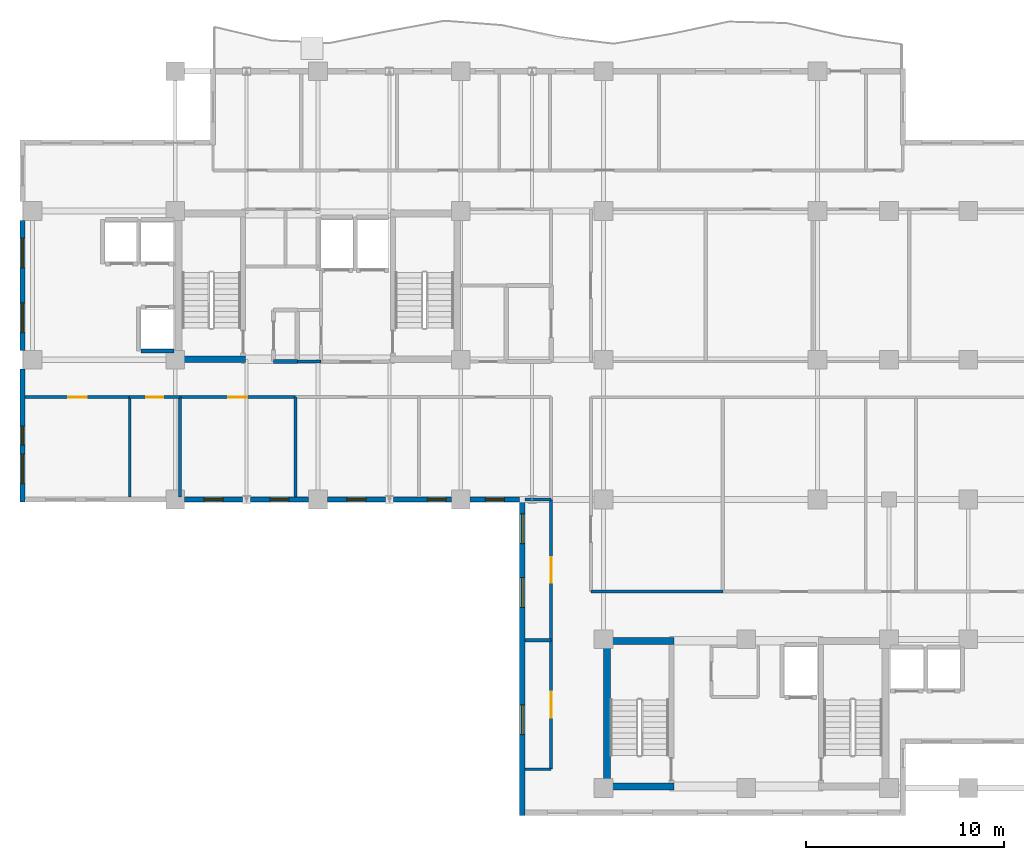
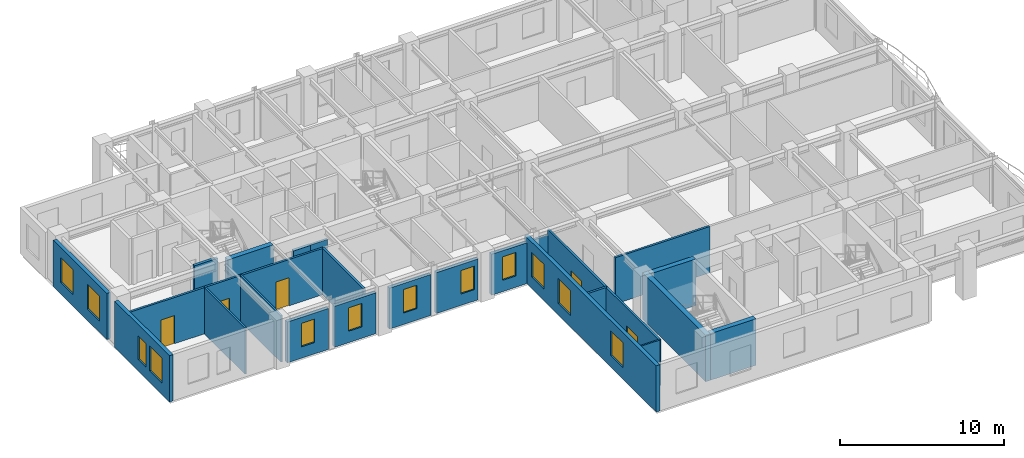
# One storey, part 5 of 13: 27 walls, 12 windows, 5 doors, 17 openings.
"""IFC4 building model written with IfcOpenShell, lengths in metres."""

from ifc_helpers import new_model, si_unit, direction, frame, frame_2d, origin, place, context, subcontext, project, spatial, rectangle, extrude, material, layer, layer_set, type_object, element, fill, save


model = new_model("IFC4")

# Units and contexts
model_context = context("Model", 3, precision=1e-05, world=origin(), true_north=direction((0.0, 1.0)))
body_context = subcontext(model_context, "Body", "Model", "MODEL_VIEW")
ifc_project = project(units=[si_unit("LENGTHUNIT", "METRE"), si_unit("AREAUNIT", "SQUARE_METRE"), si_unit("VOLUMEUNIT", "CUBIC_METRE"), si_unit("PLANEANGLEUNIT", "RADIAN"), si_unit("MASSUNIT", "GRAM", prefix="KILO")], contexts=[model_context])

# Site, building, storey
site_placement = place(None, origin())
site = spatial("IfcSite", under=ifc_project, at=site_placement, CompositionType="ELEMENT")
building_placement = place(site_placement, origin())
building = spatial("IfcBuilding", under=site, at=building_placement, Name="Kaliganga Portal Commons", CompositionType="ELEMENT")
storey_placement = place(building_placement, frame((0.0, 0.0, 224.0)))
storey = spatial("IfcBuildingStorey", under=building, at=storey_placement, Name="L57", CompositionType="ELEMENT", Elevation=224.0)

# Walls
ifc_material_1 = material(Name="Concrete C50/60", Category="concrete")
ifc_layer_1 = layer(ifc_material_1, 0.35009765625)
ifc_layer_set_1 = layer_set([ifc_layer_1], Name="Concrete C50/60")
wall_type_1 = type_object("IfcWallType", Name="WL-CORE-350", PredefinedType="SHEAR", material=ifc_layer_set_1)
wall_1_placement = place(storey_placement, frame((14.75, 28.675048828125, 0.0), z_axis=(0.0, 0.0, 1.0), x_axis=(1.0, 0.0, 0.0)))
element("IfcWall", 1, at=wall_1_placement, inside=storey, type_object=wall_type_1, Name="Core A S-West Shear Wall L57", PredefinedType="SHEAR", context=body_context, shape_type="SweptSolid", body=[
    extrude(rectangle(XDim=3.199951171875, YDim=0.35009765625, at=frame_2d((1.60009765625, 0.0))), origin(), (0.0, 0.0, 1.0), 3.469970703125),
])
wall_2_placement = place(storey_placement, frame((36.175048828125, 6.949951171875, 0.0), z_axis=(0.0, 0.0, 1.0), x_axis=(0.0, 1.0, 0.0)))
element("IfcWall", 2, at=wall_2_placement, inside=storey, type_object=wall_type_1, Name="Core B West Shear Wall L57", PredefinedType="SHEAR", context=body_context, shape_type="SweptSolid", body=[
    extrude(rectangle(XDim=7.699951171875, YDim=0.35009765625, at=frame_2d((3.85009765625, 0.0))), origin(), (0.0, 0.0, 1.0), 3.469970703125),
])
for number, where, z_axis, x_axis, name in (
    (3, (36.35009765625, 7.125, 0.0), (0.0, 0.0, 1.0), (1.0, 0.0, 0.0), "Core B S-West Shear Wall L57"),
    (4, (36.35009765625, 14.47509765625, 0.0), (0.0, 0.0, 1.0), (1.0, 0.0, 0.0), "Core B N-West Shear Wall L57"),
):
    element("IfcWall", number, at=place(storey_placement, frame(where, z_axis=z_axis, x_axis=x_axis)), inside=storey, type_object=wall_type_1, Name=name, PredefinedType="SHEAR", context=body_context, shape_type="SweptSolid", body=[
        extrude(rectangle(XDim=3.199951171875, YDim=0.35009765625, at=frame_2d((1.60009765625, 0.0))), origin(), (0.0, 0.0, 1.0), 3.469970703125),
    ])

# Wall, openings, windows
ifc_material_2 = material(Name="Insulated Aluminium-Clad Spandrel Assembly", Category="aluminium")
ifc_layer_2 = layer(ifc_material_2, 0.260009765625)
ifc_layer_set_2 = layer_set([ifc_layer_2], Name="Insulated Aluminium-Clad Spandrel Assembly")
wall_type_2 = type_object("IfcWallType", Name="WL-EXT-SPAND-260", PredefinedType="STANDARD", material=ifc_layer_set_2)
wall_3_placement = place(storey_placement, frame((6.699951171875, 29.1259765625, 0.0), z_axis=(0.0, 0.0, 1.0), x_axis=(0.0, 1.0, 0.0)))
wall_3 = element("IfcWall", 5, at=wall_3_placement, inside=storey, type_object=wall_type_2, Name="Exterior Envelope Wall L57 P1-E09-S2", PredefinedType="STANDARD", context=body_context, shape_type="SweptSolid", body=[
    extrude(rectangle(XDim=6.548095703125, YDim=0.260009765625, at=frame_2d((3.27392578125, 0.0))), origin(), (0.0, 0.0, 1.0), 3.449951171875),
])
opening_1_placement = place(wall_3_placement, frame((0.886962890625, 0.0, 0.85009765625)))
opening_1 = element("IfcOpeningElement", 6, at=opening_1_placement, cuts=wall_3, Name="Opening W-02", PredefinedType="OPENING", context=body_context, shape_type="SweptSolid", body=[
    extrude(rectangle(XDim=1.5, YDim=1.85009765625, at=frame_2d((0.75, 0.925048828125))), frame((0.0, 0.14013671875, 0.0), z_axis=(0.0, -1.0, 0.0), x_axis=(1.0, 0.0, 0.0)), (0.0, 0.0, 1.0), 0.280029296875),
])
opening_2_placement = place(wall_3_placement, frame((4.160888671875, 0.0, 0.85009765625)))
opening_2 = element("IfcOpeningElement", 7, at=opening_2_placement, cuts=wall_3, Name="Opening W-02", PredefinedType="OPENING", context=body_context, shape_type="SweptSolid", body=[
    extrude(rectangle(XDim=1.5, YDim=1.85009765625, at=frame_2d((0.75, 0.925048828125))), frame((0.0, 0.14013671875, 0.0), z_axis=(0.0, -1.0, 0.0), x_axis=(1.0, 0.0, 0.0)), (0.0, 0.0, 1.0), 0.280029296875),
])
ifc_material_3 = material(Name="Thermally Broken Aluminium and Low-E Double Glazing", Category="aluminium")
window_type_1 = type_object("IfcWindowType", Name="WIN-STD-1500", PartitioningType="DOUBLE_PANEL_VERTICAL", PredefinedType="WINDOW", material=ifc_material_3)
window_1_placement = place(opening_1_placement, origin())
window_1 = element("IfcWindow", 8, at=window_1_placement, inside=storey, type_object=window_type_1, Name="Facade Window L57-P1E09S2-00", OverallHeight=1.85009765625, OverallWidth=1.5, PartitioningType="SINGLE_PANEL", PredefinedType="WINDOW", context=body_context, shape_type="SweptSolid", body=[
    extrude(rectangle(XDim=1.5, YDim=1.85009765625, at=frame_2d((0.75, 0.925048828125))), frame((0.0, 0.030029296875, 0.0), z_axis=(0.0, -1.0, 0.0), x_axis=(1.0, 0.0, 0.0)), (0.0, 0.0, 1.0), 0.06005859375),
])
fill(opening_1, window_1)
window_2_placement = place(opening_2_placement, origin())
window_2 = element("IfcWindow", 9, at=window_2_placement, inside=storey, type_object=window_type_1, Name="Facade Window L57-P1E09S2-01", OverallHeight=1.85009765625, OverallWidth=1.5, PartitioningType="SINGLE_PANEL", PredefinedType="WINDOW", context=body_context, shape_type="SweptSolid", body=[
    extrude(rectangle(XDim=1.5, YDim=1.85009765625, at=frame_2d((0.75, 0.925048828125))), frame((0.0, 0.030029296875, 0.0), z_axis=(0.0, -1.0, 0.0), x_axis=(1.0, 0.0, 0.0)), (0.0, 0.0, 1.0), 0.06005859375),
])
fill(opening_2, window_2)

wall_4_placement = place(storey_placement, frame((6.699951171875, 21.469970703125, 0.0), z_axis=(0.0, 0.0, 1.0), x_axis=(0.0, 1.0, 0.0)))
wall_4 = element("IfcWall", 10, at=wall_4_placement, inside=storey, type_object=wall_type_2, Name="Exterior Envelope Wall L57 P1-E09-S3", PredefinedType="STANDARD", context=body_context, shape_type="SweptSolid", body=[
    extrude(rectangle(XDim=6.7041015625, YDim=0.260009765625, at=frame_2d((3.35205078125, 0.0))), origin(), (0.0, 0.0, 1.0), 3.449951171875),
])
opening_3_placement = place(wall_4_placement, frame((0.926025390625, 0.0, 0.85009765625)))
opening_3 = element("IfcOpeningElement", 11, at=opening_3_placement, cuts=wall_4, Name="Opening W-02", PredefinedType="OPENING", context=body_context, shape_type="SweptSolid", body=[
    extrude(rectangle(XDim=1.5, YDim=1.85009765625, at=frame_2d((0.75, 0.925048828125))), frame((0.0, 0.14013671875, 0.0), z_axis=(0.0, -1.0, 0.0), x_axis=(1.0, 0.0, 0.0)), (0.0, 0.0, 1.0), 0.280029296875),
])
opening_4_placement = place(wall_4_placement, frame((2.876953125, 0.0, 0.85009765625)))
opening_4 = element("IfcOpeningElement", 12, at=opening_4_placement, cuts=wall_4, Name="Opening W-04", PredefinedType="OPENING", context=body_context, shape_type="SweptSolid", body=[
    extrude(rectangle(XDim=0.949951171875, YDim=1.75, at=frame_2d((0.47509765625, 0.875))), frame((0.0, 0.14013671875, 0.0), z_axis=(0.0, -1.0, 0.0), x_axis=(1.0, 0.0, 0.0)), (0.0, 0.0, 1.0), 0.280029296875),
])
window_type_2 = type_object("IfcWindowType", Name="WIN-NARROW-950", PartitioningType="SINGLE_PANEL", PredefinedType="WINDOW", material=ifc_material_3)
window_3_placement = place(opening_4_placement, origin())
window_3 = element("IfcWindow", 13, at=window_3_placement, inside=storey, type_object=window_type_2, Name="Facade Window L57-P1E09S3-N0", OverallHeight=1.75, OverallWidth=0.949951171875, PartitioningType="SINGLE_PANEL", PredefinedType="WINDOW", context=body_context, shape_type="SweptSolid", body=[
    extrude(rectangle(XDim=0.949951171875, YDim=1.75, at=frame_2d((0.47509765625, 0.875))), frame((0.0, 0.030029296875, 0.0), z_axis=(0.0, -1.0, 0.0), x_axis=(1.0, 0.0, 0.0)), (0.0, 0.0, 1.0), 0.06005859375),
])
fill(opening_4, window_3)
window_4_placement = place(opening_3_placement, origin())
window_4 = element("IfcWindow", 14, at=window_4_placement, inside=storey, type_object=window_type_1, Name="Facade Window L57-P1E09S3-00", OverallHeight=1.85009765625, OverallWidth=1.5, PartitioningType="SINGLE_PANEL", PredefinedType="WINDOW", context=body_context, shape_type="SweptSolid", body=[
    extrude(rectangle(XDim=1.5, YDim=1.85009765625, at=frame_2d((0.75, 0.925048828125))), frame((0.0, 0.030029296875, 0.0), z_axis=(0.0, -1.0, 0.0), x_axis=(1.0, 0.0, 0.0)), (0.0, 0.0, 1.0), 0.06005859375),
])
fill(opening_3, window_4)

# Wall, opening, window
wall_5_placement = place(storey_placement, frame((17.799560546875, 21.60009765625, 0.0), z_axis=(0.0, 0.0, 1.0), x_axis=(-1.0, 0.0, 0.0)))
wall_5 = element("IfcWall", 15, at=wall_5_placement, inside=storey, type_object=wall_type_2, Name="Exterior Envelope Wall L57 P1-E10-S2", PredefinedType="STANDARD", context=body_context, shape_type="SweptSolid", body=[
    extrude(rectangle(XDim=2.923583984375, YDim=0.260009765625, at=frame_2d((1.4619140625, 0.0))), origin(), (0.0, 0.0, 1.0), 3.050048828125),
])
opening_5_placement = place(wall_5_placement, frame((0.98681640625, 0.0, 0.85009765625)))
opening_5 = element("IfcOpeningElement", 16, at=opening_5_placement, cuts=wall_5, Name="Opening W-04", PredefinedType="OPENING", context=body_context, shape_type="SweptSolid", body=[
    extrude(rectangle(XDim=0.949951171875, YDim=1.75, at=frame_2d((0.47509765625, 0.875))), frame((0.0, 0.14013671875, 0.0), z_axis=(0.0, -1.0, 0.0), x_axis=(1.0, 0.0, 0.0)), (0.0, 0.0, 1.0), 0.280029296875),
])
window_5_placement = place(opening_5_placement, origin())
window_5 = element("IfcWindow", 17, at=window_5_placement, inside=storey, type_object=window_type_2, Name="Facade Window L57-P1E10S2-00", OverallHeight=1.75, OverallWidth=0.949951171875, PartitioningType="SINGLE_PANEL", PredefinedType="WINDOW", context=body_context, shape_type="SweptSolid", body=[
    extrude(rectangle(XDim=0.949951171875, YDim=1.75, at=frame_2d((0.47509765625, 0.875))), frame((0.0, 0.030029296875, 0.0), z_axis=(0.0, -1.0, 0.0), x_axis=(1.0, 0.0, 0.0)), (0.0, 0.0, 1.0), 0.06005859375),
])
fill(opening_5, window_5)

wall_6_placement = place(storey_placement, frame((21.1240234375, 21.60009765625, 0.0), z_axis=(0.0, 0.0, 1.0), x_axis=(-1.0, 0.0, 0.0)))
wall_6 = element("IfcWall", 18, at=wall_6_placement, inside=storey, type_object=wall_type_2, Name="Exterior Envelope Wall L57 P1-E10-S3", PredefinedType="STANDARD", context=body_context, shape_type="SweptSolid", body=[
    extrude(rectangle(XDim=2.923583984375, YDim=0.260009765625, at=frame_2d((1.4619140625, 0.0))), origin(), (0.0, 0.0, 1.0), 3.050048828125),
])
opening_6_placement = place(wall_6_placement, frame((0.98681640625, 0.0, 0.85009765625)))
opening_6 = element("IfcOpeningElement", 19, at=opening_6_placement, cuts=wall_6, Name="Opening W-04", PredefinedType="OPENING", context=body_context, shape_type="SweptSolid", body=[
    extrude(rectangle(XDim=0.949951171875, YDim=1.75, at=frame_2d((0.47509765625, 0.875))), frame((0.0, 0.14013671875, 0.0), z_axis=(0.0, -1.0, 0.0), x_axis=(1.0, 0.0, 0.0)), (0.0, 0.0, 1.0), 0.280029296875),
])
window_6_placement = place(opening_6_placement, origin())
window_6 = element("IfcWindow", 20, at=window_6_placement, inside=storey, type_object=window_type_2, Name="Facade Window L57-P1E10S3-00", OverallHeight=1.75, OverallWidth=0.949951171875, PartitioningType="SINGLE_PANEL", PredefinedType="WINDOW", context=body_context, shape_type="SweptSolid", body=[
    extrude(rectangle(XDim=0.949951171875, YDim=1.75, at=frame_2d((0.47509765625, 0.875))), frame((0.0, 0.030029296875, 0.0), z_axis=(0.0, -1.0, 0.0), x_axis=(1.0, 0.0, 0.0)), (0.0, 0.0, 1.0), 0.06005859375),
])
fill(opening_6, window_6)

wall_7_placement = place(storey_placement, frame((24.99951171875, 21.60009765625, 0.0), z_axis=(0.0, 0.0, 1.0), x_axis=(-1.0, 0.0, 0.0)))
wall_7 = element("IfcWall", 21, at=wall_7_placement, inside=storey, type_object=wall_type_2, Name="Exterior Envelope Wall L57 P1-E10-S4", PredefinedType="STANDARD", context=body_context, shape_type="SweptSolid", body=[
    extrude(rectangle(XDim=2.923583984375, YDim=0.260009765625, at=frame_2d((1.4619140625, 0.0))), origin(), (0.0, 0.0, 1.0), 3.050048828125),
])
opening_7_placement = place(wall_7_placement, frame((0.98681640625, 0.0, 0.85009765625)))
opening_7 = element("IfcOpeningElement", 22, at=opening_7_placement, cuts=wall_7, Name="Opening W-04", PredefinedType="OPENING", context=body_context, shape_type="SweptSolid", body=[
    extrude(rectangle(XDim=0.949951171875, YDim=1.75, at=frame_2d((0.47509765625, 0.875))), frame((0.0, 0.14013671875, 0.0), z_axis=(0.0, -1.0, 0.0), x_axis=(1.0, 0.0, 0.0)), (0.0, 0.0, 1.0), 0.280029296875),
])
window_7_placement = place(opening_7_placement, origin())
window_7 = element("IfcWindow", 23, at=window_7_placement, inside=storey, type_object=window_type_2, Name="Facade Window L57-P1E10S4-00", OverallHeight=1.75, OverallWidth=0.949951171875, PartitioningType="SINGLE_PANEL", PredefinedType="WINDOW", context=body_context, shape_type="SweptSolid", body=[
    extrude(rectangle(XDim=0.949951171875, YDim=1.75, at=frame_2d((0.47509765625, 0.875))), frame((0.0, 0.030029296875, 0.0), z_axis=(0.0, -1.0, 0.0), x_axis=(1.0, 0.0, 0.0)), (0.0, 0.0, 1.0), 0.06005859375),
])
fill(opening_7, window_7)

wall_8_placement = place(storey_placement, frame((28.323974609375, 21.60009765625, 0.0), z_axis=(0.0, 0.0, 1.0), x_axis=(-1.0, 0.0, 0.0)))
wall_8 = element("IfcWall", 24, at=wall_8_placement, inside=storey, type_object=wall_type_2, Name="Exterior Envelope Wall L57 P1-E10-S5", PredefinedType="STANDARD", context=body_context, shape_type="SweptSolid", body=[
    extrude(rectangle(XDim=2.923583984375, YDim=0.260009765625, at=frame_2d((1.4619140625, 0.0))), origin(), (0.0, 0.0, 1.0), 3.050048828125),
])
opening_8_placement = place(wall_8_placement, frame((0.26171875, 0.0, 0.85009765625)))
opening_8 = element("IfcOpeningElement", 25, at=opening_8_placement, cuts=wall_8, Name="Opening W-04", PredefinedType="OPENING", context=body_context, shape_type="SweptSolid", body=[
    extrude(rectangle(XDim=0.949951171875, YDim=1.75, at=frame_2d((0.47509765625, 0.875))), frame((0.0, 0.14013671875, 0.0), z_axis=(0.0, -1.0, 0.0), x_axis=(1.0, 0.0, 0.0)), (0.0, 0.0, 1.0), 0.280029296875),
])
window_8_placement = place(opening_8_placement, origin())
window_8 = element("IfcWindow", 26, at=window_8_placement, inside=storey, type_object=window_type_2, Name="Facade Window L57-P1E10S5-N1", OverallHeight=1.75, OverallWidth=0.949951171875, PartitioningType="SINGLE_PANEL", PredefinedType="WINDOW", context=body_context, shape_type="SweptSolid", body=[
    extrude(rectangle(XDim=0.949951171875, YDim=1.75, at=frame_2d((0.47509765625, 0.875))), frame((0.0, 0.030029296875, 0.0), z_axis=(0.0, -1.0, 0.0), x_axis=(1.0, 0.0, 0.0)), (0.0, 0.0, 1.0), 0.06005859375),
])
fill(opening_8, window_8)

wall_9_placement = place(storey_placement, frame((31.764892578125, 21.60009765625, 0.0), z_axis=(0.0, 0.0, 1.0), x_axis=(-1.0, 0.0, 0.0)))
wall_9 = element("IfcWall", 27, at=wall_9_placement, inside=storey, type_object=wall_type_2, Name="Exterior Envelope Wall L57 P1-E10-S6", PredefinedType="STANDARD", context=body_context, shape_type="SweptSolid", body=[
    extrude(rectangle(XDim=2.489013671875, YDim=0.260009765625, at=frame_2d((1.24462890625, 0.0))), origin(), (0.0, 0.0, 1.0), 3.050048828125),
])
opening_9_placement = place(wall_9_placement, frame((0.76953125, 0.0, 0.85009765625)))
opening_9 = element("IfcOpeningElement", 28, at=opening_9_placement, cuts=wall_9, Name="Opening W-04", PredefinedType="OPENING", context=body_context, shape_type="SweptSolid", body=[
    extrude(rectangle(XDim=0.949951171875, YDim=1.75, at=frame_2d((0.47509765625, 0.875))), frame((0.0, 0.14013671875, 0.0), z_axis=(0.0, -1.0, 0.0), x_axis=(1.0, 0.0, 0.0)), (0.0, 0.0, 1.0), 0.280029296875),
])
window_9_placement = place(opening_9_placement, origin())
window_9 = element("IfcWindow", 29, at=window_9_placement, inside=storey, type_object=window_type_2, Name="Facade Window L57-P1E10S6-00", OverallHeight=1.75, OverallWidth=0.949951171875, PartitioningType="SINGLE_PANEL", PredefinedType="WINDOW", context=body_context, shape_type="SweptSolid", body=[
    extrude(rectangle(XDim=0.949951171875, YDim=1.75, at=frame_2d((0.47509765625, 0.875))), frame((0.0, 0.030029296875, 0.0), z_axis=(0.0, -1.0, 0.0), x_axis=(1.0, 0.0, 0.0)), (0.0, 0.0, 1.0), 0.06005859375),
])
fill(opening_9, window_9)

# Wall, openings, windows
wall_10_placement = place(storey_placement, frame((31.89990234375, 5.669921875, 0.0), z_axis=(0.0, 0.0, 1.0), x_axis=(0.0, 1.0, 0.0)))
wall_10 = element("IfcWall", 30, at=wall_10_placement, inside=storey, type_object=wall_type_2, Name="Exterior Envelope Wall L57 P1-E11-S1", PredefinedType="STANDARD", context=body_context, shape_type="SweptSolid", body=[
    extrude(rectangle(XDim=16.06005859375, YDim=0.260009765625, at=frame_2d((8.030029296875, 0.0))), origin(), (0.0, 0.0, 1.0), 3.449951171875),
])
opening_10_placement = place(wall_10_placement, frame((4.068115234375, 0.0, 0.85009765625)))
opening_10 = element("IfcOpeningElement", 31, at=opening_10_placement, cuts=wall_10, Name="Opening W-02", PredefinedType="OPENING", context=body_context, shape_type="SweptSolid", body=[
    extrude(rectangle(XDim=1.5, YDim=1.85009765625, at=frame_2d((0.75, 0.925048828125))), frame((0.0, 0.14013671875, 0.0), z_axis=(0.0, -1.0, 0.0), x_axis=(1.0, 0.0, 0.0)), (0.0, 0.0, 1.0), 0.280029296875),
])
opening_11_placement = place(wall_10_placement, frame((10.491943359375, 0.0, 0.85009765625)))
opening_11 = element("IfcOpeningElement", 32, at=opening_11_placement, cuts=wall_10, Name="Opening W-02", PredefinedType="OPENING", context=body_context, shape_type="SweptSolid", body=[
    extrude(rectangle(XDim=1.5, YDim=1.85009765625, at=frame_2d((0.75, 0.925048828125))), frame((0.0, 0.14013671875, 0.0), z_axis=(0.0, -1.0, 0.0), x_axis=(1.0, 0.0, 0.0)), (0.0, 0.0, 1.0), 0.280029296875),
])
opening_12_placement = place(wall_10_placement, frame((13.7041015625, 0.0, 0.85009765625)))
opening_12 = element("IfcOpeningElement", 33, at=opening_12_placement, cuts=wall_10, Name="Opening W-02", PredefinedType="OPENING", context=body_context, shape_type="SweptSolid", body=[
    extrude(rectangle(XDim=1.5, YDim=1.85009765625, at=frame_2d((0.75, 0.925048828125))), frame((0.0, 0.14013671875, 0.0), z_axis=(0.0, -1.0, 0.0), x_axis=(1.0, 0.0, 0.0)), (0.0, 0.0, 1.0), 0.280029296875),
])
window_10_placement = place(opening_10_placement, origin())
window_10 = element("IfcWindow", 34, at=window_10_placement, inside=storey, type_object=window_type_1, Name="Facade Window L57-P1E11S1-01", OverallHeight=1.85009765625, OverallWidth=1.5, PartitioningType="SINGLE_PANEL", PredefinedType="WINDOW", context=body_context, shape_type="SweptSolid", body=[
    extrude(rectangle(XDim=1.5, YDim=1.85009765625, at=frame_2d((0.75, 0.925048828125))), frame((0.0, 0.030029296875, 0.0), z_axis=(0.0, -1.0, 0.0), x_axis=(1.0, 0.0, 0.0)), (0.0, 0.0, 1.0), 0.06005859375),
])
fill(opening_10, window_10)
window_11_placement = place(opening_11_placement, origin())
window_11 = element("IfcWindow", 35, at=window_11_placement, inside=storey, type_object=window_type_1, Name="Facade Window L57-P1E11S1-03", OverallHeight=1.85009765625, OverallWidth=1.5, PartitioningType="SINGLE_PANEL", PredefinedType="WINDOW", context=body_context, shape_type="SweptSolid", body=[
    extrude(rectangle(XDim=1.5, YDim=1.85009765625, at=frame_2d((0.75, 0.925048828125))), frame((0.0, 0.030029296875, 0.0), z_axis=(0.0, -1.0, 0.0), x_axis=(1.0, 0.0, 0.0)), (0.0, 0.0, 1.0), 0.06005859375),
])
fill(opening_11, window_11)
window_12_placement = place(opening_12_placement, origin())
window_12 = element("IfcWindow", 36, at=window_12_placement, inside=storey, type_object=window_type_1, Name="Facade Window L57-P1E11S1-04", OverallHeight=1.85009765625, OverallWidth=1.5, PartitioningType="SINGLE_PANEL", PredefinedType="WINDOW", context=body_context, shape_type="SweptSolid", body=[
    extrude(rectangle(XDim=1.5, YDim=1.85009765625, at=frame_2d((0.75, 0.925048828125))), frame((0.0, 0.030029296875, 0.0), z_axis=(0.0, -1.0, 0.0), x_axis=(1.0, 0.0, 0.0)), (0.0, 0.0, 1.0), 0.06005859375),
])
fill(opening_12, window_12)

# Wall, opening, door
ifc_material_4 = material(Name="Fire-Rated Gypsum Board on Steel Stud", Category="steel")
ifc_layer_3 = layer(ifc_material_4, 0.14990234375)
ifc_layer_set_3 = layer_set([ifc_layer_3], Name="Fire-Rated Gypsum Board on Steel Stud")
wall_type_3 = type_object("IfcWallType", Name="WL-PART-CORR-150", PredefinedType="PARTITIONING", material=ifc_layer_set_3)
wall_11_placement = place(storey_placement, frame((33.360107421875, 14.5, 0.0), z_axis=(0.0, 0.0, 1.0), x_axis=(0.0, 1.0, 0.0)))
wall_11 = element("IfcWall", 37, at=wall_11_placement, inside=storey, type_object=wall_type_3, Name="Interior Partition L57-008", PredefinedType="PARTITIONING", context=body_context, shape_type="SweptSolid", body=[
    extrude(rectangle(XDim=7.10009765625, YDim=0.14990234375, at=frame_2d((3.550048828125, 0.0))), origin(), (0.0, 0.0, 1.0), 3.449951171875),
])
opening_13_placement = place(wall_11_placement, frame((2.89990234375, 0.0, 0.0)))
opening_13 = element("IfcOpeningElement", 38, at=opening_13_placement, cuts=wall_11, Name="Opening RD-03", PredefinedType="OPENING", context=body_context, shape_type="SweptSolid", body=[
    extrude(rectangle(XDim=1.300048828125, YDim=2.1201171875, at=frame_2d((0.64990234375, 1.06005859375))), frame((0.0, 0.0849609375, 0.0), z_axis=(0.0, -1.0, 0.0), x_axis=(1.0, 0.0, 0.0)), (0.0, 0.0, 1.0), 0.169921875),
])
ifc_material_5 = material(Name="Glazed Timber Seminar Vision Door", Category="wood")
door_type_1 = type_object("IfcDoorType", Name="DR-STUDY-1300", OperationType="DOUBLE_DOOR_SINGLE_SWING", PredefinedType="DOOR", material=ifc_material_5)
door_1_placement = place(opening_13_placement, origin())
door_1 = element("IfcDoor", 39, at=door_1_placement, inside=storey, type_object=door_type_1, Name="Interior Door L57-KW02", OperationType="DOUBLE_DOOR_SINGLE_SWING", OverallHeight=2.1201171875, OverallWidth=1.300048828125, PredefinedType="DOOR", context=body_context, shape_type="SweptSolid", body=[
    extrude(rectangle(XDim=1.300048828125, YDim=2.1201171875, at=frame_2d((0.64990234375, 1.06005859375))), frame((0.0, 0.02490234375, 0.0), z_axis=(0.0, -1.0, 0.0), x_axis=(1.0, 0.0, 0.0)), (0.0, 0.0, 1.0), 0.050048828125),
])
fill(opening_13, door_1)

# Wall
wall_12_placement = place(storey_placement, frame((35.360107421875, 16.9599609375, 0.0), z_axis=(0.0, 0.0, 1.0), x_axis=(1.0, 0.0, 0.0)))
element("IfcWall", 40, at=wall_12_placement, inside=storey, type_object=wall_type_3, Name="Interior Partition L57-009", PredefinedType="PARTITIONING", context=body_context, shape_type="SweptSolid", body=[
    extrude(rectangle(XDim=6.659912109375, YDim=0.14990234375, at=frame_2d((3.330078125, 0.0))), origin(), (0.0, 0.0, 1.0), 3.449951171875),
])

# Wall, opening, door
wall_13_placement = place(storey_placement, frame((33.360107421875, 8.0, 0.0), z_axis=(0.0, 0.0, 1.0), x_axis=(0.0, 1.0, 0.0)))
wall_13 = element("IfcWall", 41, at=wall_13_placement, inside=storey, type_object=wall_type_3, Name="Interior Partition L57-011", PredefinedType="PARTITIONING", context=body_context, shape_type="SweptSolid", body=[
    extrude(rectangle(XDim=6.5, YDim=0.14990234375, at=frame_2d((3.25, 0.0))), origin(), (0.0, 0.0, 1.0), 3.449951171875),
])
opening_14_placement = place(wall_13_placement, frame((2.60009765625, 0.0, 0.0)))
opening_14 = element("IfcOpeningElement", 42, at=opening_14_placement, cuts=wall_13, Name="Opening RD-03", PredefinedType="OPENING", context=body_context, shape_type="SweptSolid", body=[
    extrude(rectangle(XDim=1.300048828125, YDim=2.1201171875, at=frame_2d((0.64990234375, 1.06005859375))), frame((0.0, 0.0849609375, 0.0), z_axis=(0.0, -1.0, 0.0), x_axis=(1.0, 0.0, 0.0)), (0.0, 0.0, 1.0), 0.169921875),
])
door_2_placement = place(opening_14_placement, origin())
door_2 = element("IfcDoor", 43, at=door_2_placement, inside=storey, type_object=door_type_1, Name="Interior Door L57-KW01", OperationType="DOUBLE_DOOR_SINGLE_SWING", OverallHeight=2.1201171875, OverallWidth=1.300048828125, PredefinedType="DOOR", context=body_context, shape_type="SweptSolid", body=[
    extrude(rectangle(XDim=1.300048828125, YDim=2.1201171875, at=frame_2d((0.64990234375, 1.06005859375))), frame((0.0, 0.02490234375, 0.0), z_axis=(0.0, -1.0, 0.0), x_axis=(1.0, 0.0, 0.0)), (0.0, 0.0, 1.0), 0.050048828125),
])
fill(opening_14, door_2)

wall_14_placement = place(storey_placement, frame((14.639892578125, 26.760009765625, 0.0), z_axis=(0.0, 0.0, 1.0), x_axis=(1.0, 0.0, 0.0)))
wall_14 = element("IfcWall", 44, at=wall_14_placement, inside=storey, type_object=wall_type_3, Name="Interior Partition L57-013", PredefinedType="PARTITIONING", context=body_context, shape_type="SweptSolid", body=[
    extrude(rectangle(XDim=5.820068359375, YDim=0.14990234375, at=frame_2d((2.91015625, 0.0))), origin(), (0.0, 0.0, 1.0), 3.449951171875),
])
opening_15_placement = place(wall_14_placement, frame((2.43505859375, 0.0, 0.0)))
opening_15 = element("IfcOpeningElement", 45, at=opening_15_placement, cuts=wall_14, Name="Opening UD-01", PredefinedType="OPENING", context=body_context, shape_type="SweptSolid", body=[
    extrude(rectangle(XDim=0.949951171875, YDim=2.10009765625, at=frame_2d((0.47509765625, 1.050048828125))), frame((0.0, 0.0849609375, 0.0), z_axis=(0.0, -1.0, 0.0), x_axis=(1.0, 0.0, 0.0)), (0.0, 0.0, 1.0), 0.169921875),
])
ifc_material_6 = material(Name="Solid-Core Timber Acoustic Fire Door", Category="wood")
door_type_2 = type_object("IfcDoorType", Name="DR-UNIT-950", OperationType="NOTDEFINED", PredefinedType="DOOR", material=ifc_material_6)
door_3_placement = place(opening_15_placement, origin())
door_3 = element("IfcDoor", 46, at=door_3_placement, inside=storey, type_object=door_type_2, Name="Interior Door L57-AS03", OperationType="SINGLE_SWING_RIGHT", OverallHeight=2.10009765625, OverallWidth=0.949951171875, PredefinedType="DOOR", context=body_context, shape_type="SweptSolid", body=[
    extrude(rectangle(XDim=0.949951171875, YDim=2.10009765625, at=frame_2d((0.47509765625, 1.050048828125))), frame((0.0, 0.02490234375, 0.0), z_axis=(0.0, -1.0, 0.0), x_axis=(1.0, 0.0, 0.0)), (0.0, 0.0, 1.0), 0.050048828125),
])
fill(opening_15, door_3)

wall_15_placement = place(storey_placement, frame((6.83203125, 26.760009765625, 0.0), z_axis=(0.0, 0.0, 1.0), x_axis=(1.0, 0.0, 0.0)))
wall_15 = element("IfcWall", 47, at=wall_15_placement, inside=storey, type_object=wall_type_3, Name="Interior Partition L57-016", PredefinedType="PARTITIONING", context=body_context, shape_type="SweptSolid", body=[
    extrude(rectangle(XDim=5.26806640625, YDim=0.14990234375, at=frame_2d((2.634033203125, 0.0))), origin(), (0.0, 0.0, 1.0), 3.449951171875),
])
opening_16_placement = place(wall_15_placement, frame((2.158935546875, 0.0, 0.0)))
opening_16 = element("IfcOpeningElement", 48, at=opening_16_placement, cuts=wall_15, Name="Opening UD-01", PredefinedType="OPENING", context=body_context, shape_type="SweptSolid", body=[
    extrude(rectangle(XDim=0.949951171875, YDim=2.10009765625, at=frame_2d((0.47509765625, 1.050048828125))), frame((0.0, 0.0849609375, 0.0), z_axis=(0.0, -1.0, 0.0), x_axis=(1.0, 0.0, 0.0)), (0.0, 0.0, 1.0), 0.169921875),
])
door_4_placement = place(opening_16_placement, origin())
door_4 = element("IfcDoor", 49, at=door_4_placement, inside=storey, type_object=door_type_2, Name="Interior Door L57-AS01", OperationType="SINGLE_SWING_RIGHT", OverallHeight=2.10009765625, OverallWidth=0.949951171875, PredefinedType="DOOR", context=body_context, shape_type="SweptSolid", body=[
    extrude(rectangle(XDim=0.949951171875, YDim=2.10009765625, at=frame_2d((0.47509765625, 1.050048828125))), frame((0.0, 0.02490234375, 0.0), z_axis=(0.0, -1.0, 0.0), x_axis=(1.0, 0.0, 0.0)), (0.0, 0.0, 1.0), 0.050048828125),
])
fill(opening_16, door_4)

wall_16_placement = place(storey_placement, frame((12.10009765625, 26.760009765625, 0.0), z_axis=(0.0, 0.0, 1.0), x_axis=(1.0, 0.0, 0.0)))
wall_16 = element("IfcWall", 50, at=wall_16_placement, inside=storey, type_object=wall_type_3, Name="Interior Partition L57-031", PredefinedType="PARTITIONING", context=body_context, shape_type="SweptSolid", body=[
    extrude(rectangle(XDim=2.539794921875, YDim=0.14990234375, at=frame_2d((1.27001953125, 0.0))), origin(), (0.0, 0.0, 1.0), 3.449951171875),
])
opening_17_placement = place(wall_16_placement, frame((0.844970703125, 0.0, 0.0)))
opening_17 = element("IfcOpeningElement", 51, at=opening_17_placement, cuts=wall_16, Name="Opening WD-01", PredefinedType="OPENING", context=body_context, shape_type="SweptSolid", body=[
    extrude(rectangle(XDim=0.85009765625, YDim=2.0400390625, at=frame_2d((0.425048828125, 1.02001953125))), frame((0.0, 0.0849609375, 0.0), z_axis=(0.0, -1.0, 0.0), x_axis=(1.0, 0.0, 0.0)), (0.0, 0.0, 1.0), 0.169921875),
])
ifc_material_7 = material(Name="Moisture-Resistant Laminate Timber Door", Category="wood")
door_type_3 = type_object("IfcDoorType", Name="DR-WET-850", OperationType="NOTDEFINED", PredefinedType="DOOR", material=ifc_material_7)
door_5_placement = place(opening_17_placement, origin())
door_5 = element("IfcDoor", 52, at=door_5_placement, inside=storey, type_object=door_type_3, Name="Interior Door L57-AS02", OperationType="SINGLE_SWING_RIGHT", OverallHeight=2.0400390625, OverallWidth=0.85009765625, PredefinedType="DOOR", context=body_context, shape_type="SweptSolid", body=[
    extrude(rectangle(XDim=0.85009765625, YDim=2.0400390625, at=frame_2d((0.425048828125, 1.02001953125))), frame((0.0, 0.02490234375, 0.0), z_axis=(0.0, -1.0, 0.0), x_axis=(1.0, 0.0, 0.0)), (0.0, 0.0, 1.0), 0.050048828125),
])
fill(opening_17, door_5)

# Walls
wall_17_placement = place(storey_placement, frame((20.56005859375, 28.56005859375, 0.0), z_axis=(0.0, 0.0, 1.0), x_axis=(1.0, 0.0, 0.0)))
element("IfcWall", 53, at=wall_17_placement, inside=storey, type_object=wall_type_3, Name="Interior Partition L57-041", PredefinedType="PARTITIONING", context=body_context, shape_type="SweptSolid", body=[
    extrude(rectangle(XDim=1.199951171875, YDim=0.14990234375, at=frame_2d((0.60009765625, 0.0))), origin(), (0.0, 0.0, 1.0), 2.550048828125),
])
ifc_material_8 = material(Name="Lightweight blockwork masonry", Category="masonry")
ifc_layer_4 = layer(ifc_material_8, 0.215087890625)
ifc_layer_set_4 = layer_set([ifc_layer_4], Name="Lightweight blockwork masonry")
wall_type_4 = type_object("IfcWallType", Name="WL-PART-PLANT-215", PredefinedType="PARTITIONING", material=ifc_layer_set_4)
wall_18_placement = place(storey_placement, frame((19.360107421875, 28.56005859375, 0.0), z_axis=(0.0, 0.0, 1.0), x_axis=(1.0, 0.0, 0.0)))
element("IfcWall", 54, at=wall_18_placement, inside=storey, type_object=wall_type_4, Name="Interior Partition L57-043", PredefinedType="PARTITIONING", context=body_context, shape_type="SweptSolid", body=[
    extrude(rectangle(XDim=1.199951171875, YDim=0.215087890625, at=frame_2d((0.60009765625, 0.0))), origin(), (0.0, 0.0, 1.0), 2.550048828125),
])
ifc_material_9 = material(Name="Moisture-Resistant Gypsum Partition", Category="gypsum")
ifc_layer_5 = layer(ifc_material_9, 0.114990234375)
ifc_layer_set_5 = layer_set([ifc_layer_5], Name="Moisture-Resistant Gypsum Partition")
wall_type_5 = type_object("IfcWallType", Name="WL-PART-ROOM-115", PredefinedType="PARTITIONING", material=ifc_layer_set_5)
wall_19_placement = place(storey_placement, frame((32.031982421875, 8.0, 0.0), z_axis=(0.0, 0.0, 1.0), x_axis=(1.0, 0.0, 0.0)))
element("IfcWall", 55, at=wall_19_placement, inside=storey, type_object=wall_type_5, Name="Interior Partition L57-082", PredefinedType="PARTITIONING", context=body_context, shape_type="SweptSolid", body=[
    extrude(rectangle(XDim=1.328125, YDim=0.114990234375, at=frame_2d((0.6640625, 0.0))), origin(), (0.0, 0.0, 1.0), 3.449951171875),
])
ifc_material_10 = material(Name="Twin-Stud Acoustic Gypsum Partition", Category="gypsum")
ifc_layer_6 = layer(ifc_material_10, 0.1650390625)
ifc_layer_set_6 = layer_set([ifc_layer_6], Name="Twin-Stud Acoustic Gypsum Partition")
wall_type_6 = type_object("IfcWallType", Name="WL-PART-UNIT-165", PredefinedType="PARTITIONING", material=ifc_layer_set_6)
wall_20_placement = place(storey_placement, frame((20.4599609375, 21.73193359375, 0.0), z_axis=(0.0, 0.0, 1.0), x_axis=(0.0, 1.0, 0.0)))
element("IfcWall", 56, at=wall_20_placement, inside=storey, type_object=wall_type_6, Name="Interior Partition L57-060", PredefinedType="PARTITIONING", context=body_context, shape_type="SweptSolid", body=[
    extrude(rectangle(XDim=5.028076171875, YDim=0.1650390625, at=frame_2d((2.51416015625, 0.0))), origin(), (0.0, 0.0, 1.0), 3.449951171875),
])
wall_21_placement = place(storey_placement, frame((32.031982421875, 14.5, 0.0), z_axis=(0.0, 0.0, 1.0), x_axis=(1.0, 0.0, 0.0)))
element("IfcWall", 57, at=wall_21_placement, inside=storey, type_object=wall_type_6, Name="Interior Partition L57-083", PredefinedType="PARTITIONING", context=body_context, shape_type="SweptSolid", body=[
    extrude(rectangle(XDim=1.328125, YDim=0.1650390625, at=frame_2d((0.6640625, 0.0))), origin(), (0.0, 0.0, 1.0), 3.449951171875),
])
wall_22_placement = place(storey_placement, frame((32.031982421875, 21.60009765625, 0.0), z_axis=(0.0, 0.0, 1.0), x_axis=(1.0, 0.0, 0.0)))
element("IfcWall", 58, at=wall_22_placement, inside=storey, type_object=wall_type_6, Name="Interior Partition L57-084", PredefinedType="PARTITIONING", context=body_context, shape_type="SweptSolid", body=[
    extrude(rectangle(XDim=1.328125, YDim=0.1650390625, at=frame_2d((0.6640625, 0.0))), origin(), (0.0, 0.0, 1.0), 3.050048828125),
])
ifc_material_11 = material(Name="Cement-Board Wet-Room Partition", Category="gypsum")
ifc_layer_7 = layer(ifc_material_11, 0.135009765625)
ifc_layer_set_7 = layer_set([ifc_layer_7], Name="Cement-Board Wet-Room Partition")
wall_type_7 = type_object("IfcWallType", Name="WL-PART-WET-135", PredefinedType="PARTITIONING", material=ifc_layer_set_7)
for number, where, z_axis, x_axis, name in (
    (59, (12.10009765625, 21.73193359375, 0.0), (0.0, 0.0, 1.0), (0.0, 1.0, 0.0), "Interior Partition L57-058"),
    (60, (14.639892578125, 21.73193359375, 0.0), (0.0, 0.0, 1.0), (0.0, 1.0, 0.0), "Interior Partition L57-059"),
):
    element("IfcWall", number, at=place(storey_placement, frame(where, z_axis=z_axis, x_axis=x_axis)), inside=storey, type_object=wall_type_7, Name=name, PredefinedType="PARTITIONING", context=body_context, shape_type="SweptSolid", body=[
        extrude(rectangle(XDim=5.028076171875, YDim=0.135009765625, at=frame_2d((2.51416015625, 0.0))), origin(), (0.0, 0.0, 1.0), 3.449951171875),
    ])
ifc_material_12 = material(Name="Fire-Rated Shaftwall Masonry Assembly", Category="masonry")
ifc_layer_8 = layer(ifc_material_12, 0.199951171875)
ifc_layer_set_8 = layer_set([ifc_layer_8], Name="Fire-Rated Shaftwall Masonry Assembly")
wall_type_8 = type_object("IfcWallType", Name="WL-SHAFT-200", PredefinedType="PARTITIONING", material=ifc_layer_set_8)
wall_23_placement = place(storey_placement, frame((12.675048828125, 29.0849609375, 0.0), z_axis=(0.0, 0.0, 1.0), x_axis=(1.0, 0.0, 0.0)))
element("IfcWall", 61, at=wall_23_placement, inside=storey, type_object=wall_type_8, Name="Lift PL-A4 Hoistway Shaft Wall L57-S", PredefinedType="PARTITIONING", context=body_context, shape_type="SweptSolid", body=[
    extrude(rectangle(XDim=1.64990234375, YDim=0.199951171875, at=frame_2d((0.824951171875, 0.0))), origin(), (0.0, 0.0, 1.0), 3.449951171875),
])

save(model, "model.ifc")
